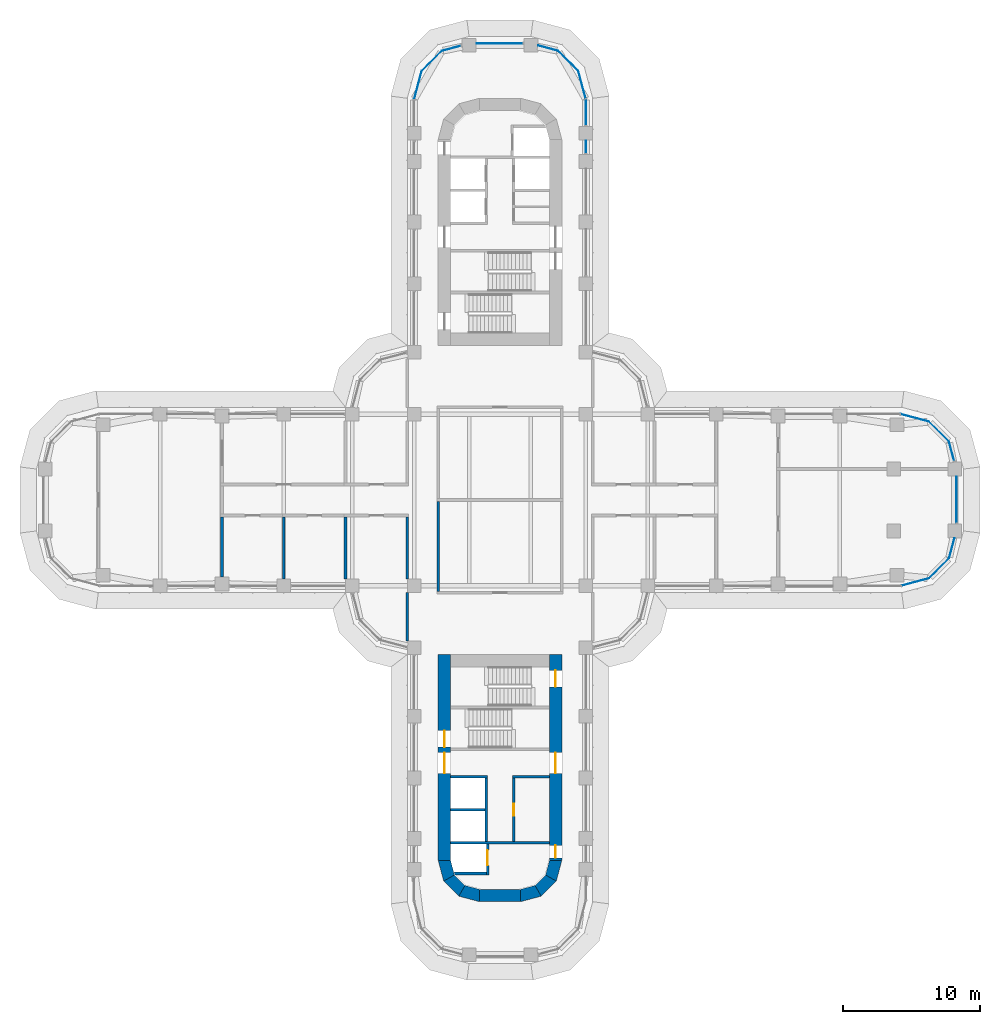
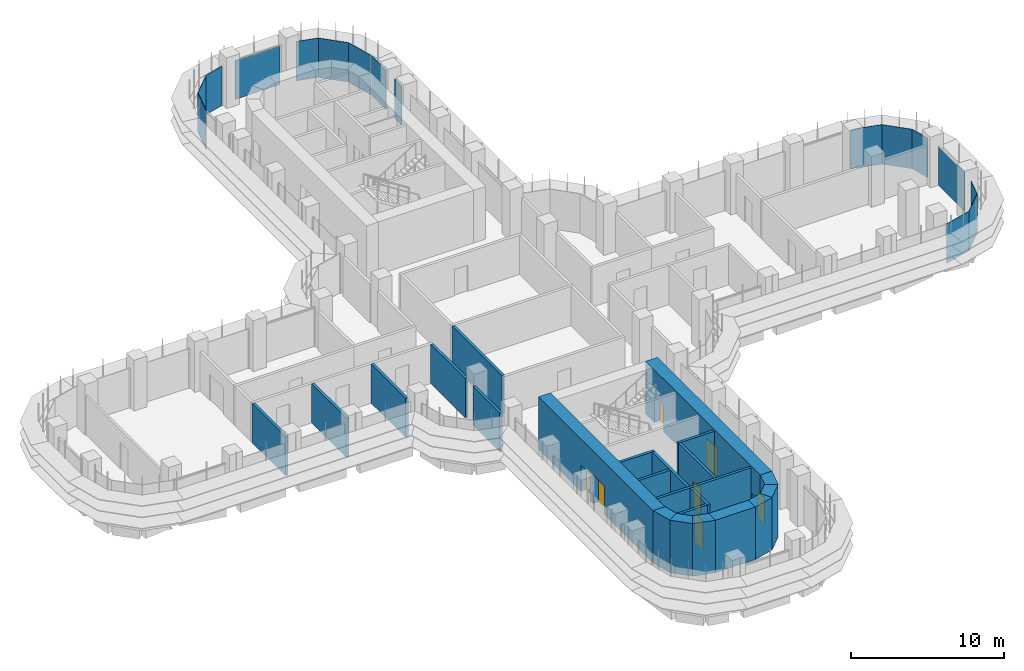
# One storey, part 16 of 23: 23 walls, 16 plates, 7 doors, 7 openings, 15 elements without a shape of their own.
"""IFC4 building model written with IfcOpenShell, lengths in metres."""

from ifc_helpers import new_model, si_unit, direction, frame, frame_2d, origin, place, context, subcontext, project, spatial, polyline, rectangle, outline, extrude, source, transform, mapped, material, layer, layer_set, type_object, element, fill, aggregate, save


model = new_model("IFC4")

# Units and contexts
model_context = context("Model", 3, precision=1e-05, world=origin(), true_north=direction((0.0, 1.0)))
body_context = subcontext(model_context, "Body", "Model", "MODEL_VIEW")
ifc_project = project(units=[si_unit("LENGTHUNIT", "METRE"), si_unit("AREAUNIT", "SQUARE_METRE"), si_unit("VOLUMEUNIT", "CUBIC_METRE"), si_unit("PLANEANGLEUNIT", "RADIAN"), si_unit("MASSUNIT", "GRAM", prefix="KILO")], contexts=[model_context])

# Site, building, storey
site_placement = place(None, origin())
site = spatial("IfcSite", under=ifc_project, at=site_placement, CompositionType="ELEMENT")
building_placement = place(site_placement, origin())
building = spatial("IfcBuilding", under=site, at=building_placement, Name="Zarbagh Exchange Tower", CompositionType="ELEMENT")
storey_placement = place(building_placement, frame((0.0, 0.0, 43.800048828125)))
storey = spatial("IfcBuildingStorey", under=building, at=storey_placement, Name="L09", CompositionType="ELEMENT", Elevation=43.800048828125)

# Curtain wall, plate
ifc_material_1 = material(Name="Anodised aluminium frame and glazing", Category="aluminium")
curtain_wall_type = type_object("IfcCurtainWallType", Name="CWA Ribbon glazing, lower zones", PredefinedType="NOTDEFINED", material=ifc_material_1)
curtain_wall_1_placement = place(storey_placement, origin())
curtain_wall_1 = element("IfcCurtainWall", 1, at=curtain_wall_1_placement, inside=storey, type_object=curtain_wall_type, Name="CWA13 curtain wall", PredefinedType="NOTDEFINED")
ifc_material_2 = material(Name="Low-e double glazed unit, 6+12+6 mm")
ifc_layer_1 = layer(ifc_material_2, 0.028076171875)
ifc_layer_set_1 = layer_set([ifc_layer_1], Name="PAA Glazing panel, Low-e double glazed unit, 6+12+6 mm")
plate_type = type_object("IfcPlateType", Name="PAA Glazing panel, Low-e double glazed unit, 6+12+6 mm", PredefinedType="CURTAIN_PANEL", material=ifc_layer_set_1)
shared_shape_1 = source(origin(), body_context, "Body", "SweptSolid", [
    extrude(outline(polyline([(0.0, -0.013916015625), (1.4423828125, -0.013916015625), (1.4423828125, 0.013916015625), (0.0, 0.013916015625), (0.0, -0.013916015625)])), origin(), (0.0, 0.0, 1.0), 3.14990234375),
])
placement = place(storey_placement, origin())
plate_1 = element("IfcPlate", 2, at=placement, type_object=plate_type, Name="CWA13 glazing panel 1.1", PredefinedType="CURTAIN_PANEL", context=body_context, shape_type="MappedRepresentation", body=[
    mapped(shared_shape_1, transform((33.072021484375, 2.847900390625, 0.0), x_axis=(-0.258824779902, 0.965924289636, 0.0), y_axis=(-0.965924289636, -0.258824779902, 0.0), z_axis=(0.0, 0.0, 1.0))),
])
aggregate(curtain_wall_1, [plate_1])

curtain_wall_2_placement = place(storey_placement, origin())
curtain_wall_2 = element("IfcCurtainWall", 3, at=curtain_wall_2_placement, inside=storey, type_object=curtain_wall_type, Name="CWA25 curtain wall", PredefinedType="NOTDEFINED")
plate_2 = element("IfcPlate", 4, at=placement, type_object=plate_type, Name="CWA25 glazing panel 1.1", PredefinedType="CURTAIN_PANEL", context=body_context, shape_type="MappedRepresentation", body=[
    mapped(shared_shape_1, transform((-2.847900390625, 33.072021484375, 0.0), x_axis=(-0.965924289636, -0.258824779902, 0.0), y_axis=(0.258824779902, -0.965924289636, 0.0), z_axis=(0.0, 0.0, 1.0))),
])
aggregate(curtain_wall_2, [plate_2])

curtain_wall_3_placement = place(storey_placement, origin())
curtain_wall_3 = element("IfcCurtainWall", 5, at=curtain_wall_3_placement, inside=storey, type_object=curtain_wall_type, Name="CWA10 curtain wall", PredefinedType="NOTDEFINED")
shared_shape_2 = source(origin(), body_context, "Body", "SweptSolid", [
    extrude(outline(polyline([(0.0, -0.013916015625), (2.061279296875, -0.013916015625), (2.061279296875, 0.013916015625), (0.0, 0.013916015625), (0.0, -0.013916015625)])), origin(), (0.0, 0.0, 1.0), 3.14990234375),
])
plate_3 = element("IfcPlate", 6, at=placement, type_object=plate_type, Name="CWA10 glazing panel 1.1", PredefinedType="CURTAIN_PANEL", context=body_context, shape_type="MappedRepresentation", body=[
    mapped(shared_shape_2, transform((31.2412109375, -5.69873046875, 0.0), x_axis=(0.707106781187, 0.707106781187, 0.0), y_axis=(-0.707106781187, 0.707106781187, 0.0), z_axis=(0.0, 0.0, 1.0))),
])
aggregate(curtain_wall_3, [plate_3])

curtain_wall_4_placement = place(storey_placement, origin())
curtain_wall_4 = element("IfcCurtainWall", 7, at=curtain_wall_4_placement, inside=storey, type_object=curtain_wall_type, Name="CWA14 curtain wall", PredefinedType="NOTDEFINED")
plate_4 = element("IfcPlate", 8, at=placement, type_object=plate_type, Name="CWA14 glazing panel 1.1", PredefinedType="CURTAIN_PANEL", context=body_context, shape_type="MappedRepresentation", body=[
    mapped(shared_shape_2, transform((32.69873046875, 4.2412109375, 0.0), x_axis=(-0.707106781187, 0.707106781187, 0.0), y_axis=(-0.707106781187, -0.707106781187, 0.0), z_axis=(0.0, 0.0, 1.0))),
])
aggregate(curtain_wall_4, [plate_4])

curtain_wall_5_placement = place(storey_placement, origin())
curtain_wall_5 = element("IfcCurtainWall", 9, at=curtain_wall_5_placement, inside=storey, type_object=curtain_wall_type, Name="CWA22 curtain wall", PredefinedType="NOTDEFINED")
plate_5 = element("IfcPlate", 10, at=placement, type_object=plate_type, Name="CWA22 glazing panel 1.1", PredefinedType="CURTAIN_PANEL", context=body_context, shape_type="MappedRepresentation", body=[
    mapped(shared_shape_2, transform((5.69873046875, 31.2412109375, 0.0), x_axis=(-0.707106781187, 0.707106781187, 0.0), y_axis=(-0.707106781187, -0.707106781187, 0.0), z_axis=(0.0, 0.0, 1.0))),
])
aggregate(curtain_wall_5, [plate_5])

curtain_wall_6_placement = place(storey_placement, origin())
curtain_wall_6 = element("IfcCurtainWall", 11, at=curtain_wall_6_placement, inside=storey, type_object=curtain_wall_type, Name="CWA26 curtain wall", PredefinedType="NOTDEFINED")
plate_6 = element("IfcPlate", 12, at=placement, type_object=plate_type, Name="CWA26 glazing panel 1.1", PredefinedType="CURTAIN_PANEL", context=body_context, shape_type="MappedRepresentation", body=[
    mapped(shared_shape_2, transform((-4.2412109375, 32.69873046875, 0.0), x_axis=(-0.707106781187, -0.707106781187, 0.0), y_axis=(0.707106781187, -0.707106781187, 0.0), z_axis=(0.0, 0.0, 1.0))),
])
aggregate(curtain_wall_6, [plate_6])

curtain_wall_7_placement = place(storey_placement, origin())
curtain_wall_7 = element("IfcCurtainWall", 13, at=curtain_wall_7_placement, inside=storey, type_object=curtain_wall_type, Name="CWA15 curtain wall", PredefinedType="NOTDEFINED")
shared_shape_3 = source(origin(), body_context, "Body", "SweptSolid", [
    extrude(outline(polyline([(0.0, -0.013916015625), (2.129638671875, -0.013916015625), (2.129638671875, 0.013916015625), (0.0, 0.013916015625), (0.0, -0.013916015625)])), origin(), (0.0, 0.0, 1.0), 3.14990234375),
])
plate_7 = element("IfcPlate", 14, at=placement, type_object=plate_type, Name="CWA15 glazing panel 1.1", PredefinedType="CURTAIN_PANEL", context=body_context, shape_type="MappedRepresentation", body=[
    mapped(shared_shape_3, transform((31.2412109375, 5.69873046875, 0.0), x_axis=(-0.965924289636, 0.258824779902, 0.0), y_axis=(-0.258824779902, -0.965924289636, 0.0), z_axis=(0.0, 0.0, 1.0))),
])
aggregate(curtain_wall_7, [plate_7])

curtain_wall_8_placement = place(storey_placement, origin())
curtain_wall_8 = element("IfcCurtainWall", 15, at=curtain_wall_8_placement, inside=storey, type_object=curtain_wall_type, Name="CWA27 curtain wall", PredefinedType="NOTDEFINED")
plate_8 = element("IfcPlate", 16, at=placement, type_object=plate_type, Name="CWA27 glazing panel 1.1", PredefinedType="CURTAIN_PANEL", context=body_context, shape_type="MappedRepresentation", body=[
    mapped(shared_shape_3, transform((-5.69873046875, 31.2412109375, 0.0), x_axis=(-0.258824779902, -0.965924289636, 0.0), y_axis=(0.965924289636, -0.258824779902, 0.0), z_axis=(0.0, 0.0, 1.0))),
])
aggregate(curtain_wall_8, [plate_8])

curtain_wall_9_placement = place(storey_placement, origin())
curtain_wall_9 = element("IfcCurtainWall", 17, at=curtain_wall_9_placement, inside=storey, type_object=curtain_wall_type, Name="CWA09 curtain wall", PredefinedType="NOTDEFINED")
shared_shape_4 = source(origin(), body_context, "Body", "SweptSolid", [
    extrude(outline(polyline([(0.0, -0.013916015625), (2.069580078125, -0.013916015625), (2.069580078125, 0.013916015625), (0.0, 0.013916015625), (0.0, -0.013916015625)])), origin(), (0.0, 0.0, 1.0), 3.14990234375),
])
plate_9 = element("IfcPlate", 18, at=placement, type_object=plate_type, Name="CWA09 glazing panel 1.1", PredefinedType="CURTAIN_PANEL", context=body_context, shape_type="MappedRepresentation", body=[
    mapped(shared_shape_4, transform((29.2421875, -6.234375, 0.0), x_axis=(0.965924289636, 0.258824779902, 0.0), y_axis=(-0.258824779902, 0.965924289636, 0.0), z_axis=(0.0, 0.0, 1.0))),
])
aggregate(curtain_wall_9, [plate_9])

curtain_wall_10_placement = place(storey_placement, origin())
curtain_wall_10 = element("IfcCurtainWall", 19, at=curtain_wall_10_placement, inside=storey, type_object=curtain_wall_type, Name="CWA21 curtain wall", PredefinedType="NOTDEFINED")
plate_10 = element("IfcPlate", 20, at=placement, type_object=plate_type, Name="CWA21 glazing panel 1.1", PredefinedType="CURTAIN_PANEL", context=body_context, shape_type="MappedRepresentation", body=[
    mapped(shared_shape_4, transform((6.234375, 29.2421875, 0.0), x_axis=(-0.258824779902, 0.965924289636, 0.0), y_axis=(-0.965924289636, -0.258824779902, 0.0), z_axis=(0.0, 0.0, 1.0))),
])
aggregate(curtain_wall_10, [plate_10])

curtain_wall_11_placement = place(storey_placement, origin())
curtain_wall_11 = element("IfcCurtainWall", 21, at=curtain_wall_11_placement, inside=storey, type_object=curtain_wall_type, Name="CWA11 curtain wall", PredefinedType="NOTDEFINED")
shared_shape_5 = source(origin(), body_context, "Body", "SweptSolid", [
    extrude(outline(polyline([(0.0, -0.013916015625), (1.50244140625, -0.013916015625), (1.50244140625, 0.013916015625), (0.0, 0.013916015625), (0.0, -0.013916015625)])), origin(), (0.0, 0.0, 1.0), 3.14990234375),
])
plate_11 = element("IfcPlate", 22, at=placement, type_object=plate_type, Name="CWA11 glazing panel 1.1", PredefinedType="CURTAIN_PANEL", context=body_context, shape_type="MappedRepresentation", body=[
    mapped(shared_shape_5, transform((32.69873046875, -4.2412109375, 0.0), x_axis=(0.258824779902, 0.965924289636, 0.0), y_axis=(-0.965924289636, 0.258824779902, 0.0), z_axis=(0.0, 0.0, 1.0))),
])
aggregate(curtain_wall_11, [plate_11])

curtain_wall_12_placement = place(storey_placement, origin())
curtain_wall_12 = element("IfcCurtainWall", 23, at=curtain_wall_12_placement, inside=storey, type_object=curtain_wall_type, Name="CWA23 curtain wall", PredefinedType="NOTDEFINED")
plate_12 = element("IfcPlate", 24, at=placement, type_object=plate_type, Name="CWA23 glazing panel 1.1", PredefinedType="CURTAIN_PANEL", context=body_context, shape_type="MappedRepresentation", body=[
    mapped(shared_shape_5, transform((4.2412109375, 32.69873046875, 0.0), x_axis=(-0.965924289636, 0.258824779902, 0.0), y_axis=(-0.258824779902, -0.965924289636, 0.0), z_axis=(0.0, 0.0, 1.0))),
])
aggregate(curtain_wall_12, [plate_12])

curtain_wall_13_placement = place(storey_placement, origin())
curtain_wall_13 = element("IfcCurtainWall", 25, at=curtain_wall_13_placement, inside=storey, type_object=curtain_wall_type, Name="CWA12 curtain wall", PredefinedType="NOTDEFINED")
shared_shape_6 = source(origin(), body_context, "Body", "SweptSolid", [
    extrude(outline(polyline([(0.0, -0.013916015625), (3.360107421875, -0.013916015625), (3.360107421875, 0.013916015625), (0.0, 0.013916015625), (0.0, -0.013916015625)])), origin(), (0.0, 0.0, 1.0), 3.090087890625),
])
plate_13 = element("IfcPlate", 26, at=placement, type_object=plate_type, Name="CWA12 glazing panel 1.1", PredefinedType="CURTAIN_PANEL", context=body_context, shape_type="MappedRepresentation", body=[
    mapped(shared_shape_6, transform((33.25, -1.64990234375, 0.0), x_axis=(0.0, 1.0, 0.0), y_axis=(-1.0, 0.0, 0.0), z_axis=(0.0, 0.0, 1.0))),
])
aggregate(curtain_wall_13, [plate_13])

curtain_wall_14_placement = place(storey_placement, origin())
curtain_wall_14 = element("IfcCurtainWall", 27, at=curtain_wall_14_placement, inside=storey, type_object=curtain_wall_type, Name="CWA24 curtain wall", PredefinedType="NOTDEFINED")
plate_14 = element("IfcPlate", 28, at=placement, type_object=plate_type, Name="CWA24 glazing panel 1.1", PredefinedType="CURTAIN_PANEL", context=body_context, shape_type="MappedRepresentation", body=[
    mapped(shared_shape_6, transform((1.64990234375, 33.25, 0.0), x_axis=(-1.0, 0.0, 0.0), y_axis=(0.0, -1.0, 0.0), z_axis=(0.0, 0.0, 1.0))),
])
aggregate(curtain_wall_14, [plate_14])

# Curtain wall, plates
curtain_wall_15_placement = place(storey_placement, origin())
curtain_wall_15 = element("IfcCurtainWall", 29, at=curtain_wall_15_placement, inside=storey, type_object=curtain_wall_type, Name="CWA20 curtain wall", PredefinedType="NOTDEFINED")
shared_shape_7 = source(origin(), body_context, "Body", "SweptSolid", [
    extrude(outline(polyline([(0.0, -0.013916015625), (0.909912109375, -0.013916015625), (0.909912109375, 0.013916015625), (0.0, 0.013916015625), (0.0, -0.013916015625)])), origin(), (0.0, 0.0, 1.0), 3.14990234375),
])
plate_15 = element("IfcPlate", 30, at=placement, type_object=plate_type, Name="CWA20 glazing panel 4.1", PredefinedType="CURTAIN_PANEL", context=body_context, shape_type="MappedRepresentation", body=[
    mapped(shared_shape_7, transform((6.25, 25.25, 0.0), x_axis=(0.0, 1.0, 0.0), y_axis=(-1.0, 0.0, 0.0), z_axis=(0.0, 0.0, 1.0))),
])
shared_shape_8 = source(origin(), body_context, "Body", "SweptSolid", [
    extrude(outline(polyline([(0.0, -0.013916015625), (1.884033203125, -0.013916015625), (1.884033203125, 0.013916015625), (0.0, 0.013916015625), (0.0, -0.013916015625)])), origin(), (0.0, 0.0, 1.0), 3.14990234375),
])
plate_16 = element("IfcPlate", 31, at=placement, type_object=plate_type, Name="CWA20 glazing panel 5.1", PredefinedType="CURTAIN_PANEL", context=body_context, shape_type="MappedRepresentation", body=[
    mapped(shared_shape_8, transform((6.25, 27.300048828125, 0.0), x_axis=(0.0, 1.0, 0.0), y_axis=(-1.0, 0.0, 0.0), z_axis=(0.0, 0.0, 1.0))),
])
aggregate(curtain_wall_15, [plate_15, plate_16])

# Walls
ifc_material_3 = material(Name="Fire-rated plasterboard partition")
ifc_layer_2 = layer(ifc_material_3, 0.199951171875)
ifc_layer_set_2 = layer_set([ifc_layer_2], Name="RATED PARTITION 200")
wall_type_1 = type_object("IfcWallType", Name="RATED PARTITION 200", PredefinedType="PARTITIONING", material=ifc_layer_set_2)
wall_1_placement = place(storey_placement, frame((-4.5, -6.64990234375, 0.0), z_axis=(0.0, 0.0, 1.0), x_axis=(0.0, 1.0, 0.0)))
element("IfcWall", 32, at=wall_1_placement, inside=storey, type_object=wall_type_1, Name="Partition W-302", PredefinedType="PARTITIONING", context=body_context, shape_type="SweptSolid", body=[
    extrude(rectangle(XDim=6.5498046875, YDim=0.199951171875, at=frame_2d((3.27490234375, 0.0))), origin(), (0.0, 0.0, 1.0), 3.13037109375),
])
wall_2_placement = place(storey_placement, frame((-6.75, -10.25, 0.0), z_axis=(0.0, 0.0, 1.0), x_axis=(0.0, 1.0, 0.0)))
element("IfcWall", 33, at=wall_2_placement, inside=storey, type_object=wall_type_1, Name="Partition W-305", PredefinedType="PARTITIONING", context=body_context, shape_type="SweptSolid", body=[
    extrude(rectangle(XDim=3.5, YDim=0.199951171875, at=frame_2d((1.75, 0.0))), origin(), (0.0, 0.0, 1.0), 3.13037109375),
])
for number, where, z_axis, x_axis, name in (
    (34, (-6.75, -5.75, 0.0), (0.0, 0.0, 1.0), (0.0, 1.0, 0.0), "Partition W-306"),
    (35, (-11.25, -5.75, 0.0), (0.0, 0.0, 1.0), (0.0, 1.0, 0.0), "Partition W-335"),
    (36, (-15.75, -5.75, 0.0), (0.0, 0.0, 1.0), (0.0, 1.0, 0.0), "Partition W-337"),
):
    element("IfcWall", number, at=place(storey_placement, frame(where, z_axis=z_axis, x_axis=x_axis)), inside=storey, type_object=wall_type_1, Name=name, PredefinedType="PARTITIONING", context=body_context, shape_type="SweptSolid", body=[
        extrude(rectangle(XDim=4.52490234375, YDim=0.199951171875, at=frame_2d((2.262451171875, 0.0))), origin(), (0.0, 0.0, 1.0), 3.13037109375),
    ])
wall_3_placement = place(storey_placement, frame((-20.25, -5.610107421875, 0.0), z_axis=(0.0, 0.0, 1.0), x_axis=(0.0, 1.0, 0.0)))
element("IfcWall", 37, at=wall_3_placement, inside=storey, type_object=wall_type_1, Name="Partition W-338", PredefinedType="PARTITIONING", context=body_context, shape_type="SweptSolid", body=[
    extrude(rectangle(XDim=4.385009765625, YDim=0.199951171875, at=frame_2d((2.1923828125, 0.0))), origin(), (0.0, 0.0, 1.0), 3.13037109375),
])
ifc_material_4 = material(Name="Concrete C60/75", Category="concrete")
ifc_layer_3 = layer(ifc_material_4, 0.89990234375)
ifc_layer_set_3 = layer_set([ifc_layer_3], Name="RC core corner wall 900 C60/75")
wall_type_2 = type_object("IfcWallType", Name="RC core corner wall 900 C60/75", PredefinedType="SHEAR", material=ifc_layer_set_3)
wall_4_placement = place(storey_placement, origin())
element("IfcWall", 38, at=wall_4_placement, inside=storey, type_object=wall_type_2, Name="CW2 core S corner W", PredefinedType="SHEAR", context=body_context, shape_type="SweptSolid", body=[
    extrude(outline(polyline([(-4.5, -26.25), (-4.09814453125, -27.75), (-3.318603515625, -27.300048828125), (-3.60009765625, -26.25), (-4.5, -26.25)])), origin(), (0.0, 0.0, 1.0), 4.199951171875),
])
wall_5_placement = place(storey_placement, origin())
element("IfcWall", 39, at=wall_5_placement, inside=storey, type_object=wall_type_2, Name="CW2 core S corner W", PredefinedType="SHEAR", context=body_context, shape_type="SweptSolid", body=[
    extrude(outline(polyline([(-4.09814453125, -27.75), (-3.0, -28.84814453125), (-2.550048828125, -28.068603515625), (-3.318603515625, -27.300048828125), (-4.09814453125, -27.75)])), origin(), (0.0, 0.0, 1.0), 4.199951171875),
])
wall_6_placement = place(storey_placement, origin())
element("IfcWall", 40, at=wall_6_placement, inside=storey, type_object=wall_type_2, Name="CW2 core S corner W", PredefinedType="SHEAR", context=body_context, shape_type="SweptSolid", body=[
    extrude(outline(polyline([(-3.0, -28.84814453125), (-1.5, -29.25), (-1.5, -28.35009765625), (-2.550048828125, -28.068603515625), (-3.0, -28.84814453125)])), origin(), (0.0, 0.0, 1.0), 4.199951171875),
])
wall_7_placement = place(storey_placement, origin())
element("IfcWall", 41, at=wall_7_placement, inside=storey, type_object=wall_type_2, Name="CW2 core S corner E", PredefinedType="SHEAR", context=body_context, shape_type="SweptSolid", body=[
    extrude(outline(polyline([(4.5, -26.25), (4.09814453125, -27.75), (3.318603515625, -27.300048828125), (3.60009765625, -26.25), (4.5, -26.25)])), origin(), (0.0, 0.0, 1.0), 4.199951171875),
])
wall_8_placement = place(storey_placement, origin())
element("IfcWall", 42, at=wall_8_placement, inside=storey, type_object=wall_type_2, Name="CW2 core S corner E", PredefinedType="SHEAR", context=body_context, shape_type="SweptSolid", body=[
    extrude(outline(polyline([(4.09814453125, -27.75), (3.0, -28.84814453125), (2.550048828125, -28.068603515625), (3.318603515625, -27.300048828125), (4.09814453125, -27.75)])), origin(), (0.0, 0.0, 1.0), 4.199951171875),
])
wall_9_placement = place(storey_placement, origin())
element("IfcWall", 43, at=wall_9_placement, inside=storey, type_object=wall_type_2, Name="CW2 core S corner E", PredefinedType="SHEAR", context=body_context, shape_type="SweptSolid", body=[
    extrude(outline(polyline([(3.0, -28.84814453125), (1.5, -29.25), (1.5, -28.35009765625), (2.550048828125, -28.068603515625), (3.0, -28.84814453125)])), origin(), (0.0, 0.0, 1.0), 4.199951171875),
])

# Wall, openings, doors
ifc_layer_4 = layer(ifc_material_4, 0.89990234375)
ifc_layer_set_4 = layer_set([ifc_layer_4], Name="RC core wall 900 C60/75")
wall_type_3 = type_object("IfcWallType", Name="RC core wall 900 C60/75", PredefinedType="SHEAR", material=ifc_layer_set_4)
wall_10_placement = place(storey_placement, frame((-4.050048828125, -11.25, 0.0), z_axis=(0.0, 0.0, 1.0), x_axis=(0.0, -1.0, 0.0)))
wall_10 = element("IfcWall", 44, at=wall_10_placement, inside=storey, type_object=wall_type_3, Name="CW1 core S W", PredefinedType="SHEAR", context=body_context, shape_type="SweptSolid", body=[
    extrude(rectangle(XDim=15.0, YDim=0.89990234375, at=frame_2d((7.5, 0.0))), origin(), (0.0, 0.0, 1.0), 4.199951171875),
])
opening_1_placement = place(wall_10_placement, frame((7.14990234375, 0.0, 0.0)))
opening_1 = element("IfcOpeningElement", 45, at=opening_1_placement, cuts=wall_10, Name="Opening CD1-1500", PredefinedType="OPENING", context=body_context, shape_type="SweptSolid", body=[
    extrude(rectangle(XDim=1.5, YDim=2.300048828125, at=frame_2d((0.75, 1.14990234375))), frame((0.0, 0.4599609375, 0.0), z_axis=(0.0, -1.0, 0.0), x_axis=(1.0, 0.0, 0.0)), (0.0, 0.0, 1.0), 0.919921875),
])
opening_2_placement = place(wall_10_placement, frame((5.550048828125, 0.0, 0.0)))
opening_2 = element("IfcOpeningElement", 46, at=opening_2_placement, cuts=wall_10, Name="Opening SD1-1200", PredefinedType="OPENING", context=body_context, shape_type="SweptSolid", body=[
    extrude(rectangle(XDim=1.199951171875, YDim=2.10009765625, at=frame_2d((0.60009765625, 1.050048828125))), frame((0.0, 0.4599609375, 0.0), z_axis=(0.0, -1.0, 0.0), x_axis=(1.0, 0.0, 0.0)), (0.0, 0.0, 1.0), 0.919921875),
])
ifc_material_5 = material(Name="Steel", Category="steel")
door_type_1 = type_object("IfcDoorType", Name="Exit stair door 1200 x 2100", OperationType="NOTDEFINED", PredefinedType="DOOR", material=ifc_material_5)
door_1_placement = place(opening_2_placement, origin())
door_1 = element("IfcDoor", 47, at=door_1_placement, inside=storey, type_object=door_type_1, Name="South core stair door ST1", OperationType="SINGLE_SWING_RIGHT", OverallHeight=2.10009765625, OverallWidth=1.199951171875, PredefinedType="DOOR", context=body_context, shape_type="SweptSolid", body=[
    extrude(rectangle(XDim=1.199951171875, YDim=2.10009765625, at=frame_2d((0.60009765625, 1.050048828125))), frame((0.0, 0.02490234375, 0.0), z_axis=(0.0, -1.0, 0.0), x_axis=(1.0, 0.0, 0.0)), (0.0, 0.0, 1.0), 0.050048828125),
])
fill(opening_2, door_1)
door_type_2 = type_object("IfcDoorType", Name="Lift lobby double door 1500 x 2300", OperationType="NOTDEFINED", PredefinedType="DOOR", material=ifc_material_5)
door_2_placement = place(opening_1_placement, origin())
door_2 = element("IfcDoor", 48, at=door_2_placement, inside=storey, type_object=door_type_2, Name="South core lift lobby door LOBBY-E", OperationType="DOUBLE_DOOR_SINGLE_SWING", OverallHeight=2.300048828125, OverallWidth=1.5, PredefinedType="DOOR", context=body_context, shape_type="SweptSolid", body=[
    extrude(rectangle(XDim=1.5, YDim=2.300048828125, at=frame_2d((0.75, 1.14990234375))), frame((0.0, 0.02490234375, 0.0), z_axis=(0.0, -1.0, 0.0), x_axis=(1.0, 0.0, 0.0)), (0.0, 0.0, 1.0), 0.050048828125),
])
fill(opening_1, door_2)

wall_11_placement = place(storey_placement, frame((4.050048828125, -11.25, 0.0), z_axis=(0.0, 0.0, 1.0), x_axis=(0.0, -1.0, 0.0)))
wall_11 = element("IfcWall", 49, at=wall_11_placement, inside=storey, type_object=wall_type_3, Name="CW1 core S E", PredefinedType="SHEAR", context=body_context, shape_type="SweptSolid", body=[
    extrude(rectangle(XDim=15.0, YDim=0.89990234375, at=frame_2d((7.5, 0.0))), origin(), (0.0, 0.0, 1.0), 4.199951171875),
])
opening_3_placement = place(wall_11_placement, frame((7.14990234375, 0.0, 0.0)))
opening_3 = element("IfcOpeningElement", 50, at=opening_3_placement, cuts=wall_11, Name="Opening CD1-1500", PredefinedType="OPENING", context=body_context, shape_type="SweptSolid", body=[
    extrude(rectangle(XDim=1.5, YDim=2.300048828125, at=frame_2d((0.75, 1.14990234375))), frame((0.0, 0.4599609375, 0.0), z_axis=(0.0, -1.0, 0.0), x_axis=(1.0, 0.0, 0.0)), (0.0, 0.0, 1.0), 0.919921875),
])
opening_4_placement = place(wall_11_placement, frame((13.89990234375, 0.0, 0.0)))
opening_4 = element("IfcOpeningElement", 51, at=opening_4_placement, cuts=wall_11, Name="Opening CD2-900", PredefinedType="OPENING", context=body_context, shape_type="SweptSolid", body=[
    extrude(rectangle(XDim=0.89990234375, YDim=2.10009765625, at=frame_2d((0.449951171875, 1.050048828125))), frame((0.0, 0.4599609375, 0.0), z_axis=(0.0, -1.0, 0.0), x_axis=(1.0, 0.0, 0.0)), (0.0, 0.0, 1.0), 0.919921875),
])
opening_5_placement = place(wall_11_placement, frame((1.14990234375, 0.0, 0.0)))
opening_5 = element("IfcOpeningElement", 52, at=opening_5_placement, cuts=wall_11, Name="Opening SD1-1200", PredefinedType="OPENING", context=body_context, shape_type="SweptSolid", body=[
    extrude(rectangle(XDim=1.199951171875, YDim=2.10009765625, at=frame_2d((0.60009765625, 1.050048828125))), frame((0.0, 0.4599609375, 0.0), z_axis=(0.0, -1.0, 0.0), x_axis=(1.0, 0.0, 0.0)), (0.0, 0.0, 1.0), 0.919921875),
])
door_3_placement = place(opening_5_placement, origin())
door_3 = element("IfcDoor", 53, at=door_3_placement, inside=storey, type_object=door_type_1, Name="South core stair door ST2", OperationType="SINGLE_SWING_LEFT", OverallHeight=2.10009765625, OverallWidth=1.199951171875, PredefinedType="DOOR", context=body_context, shape_type="SweptSolid", body=[
    extrude(rectangle(XDim=1.199951171875, YDim=2.10009765625, at=frame_2d((0.60009765625, 1.050048828125))), frame((0.0, 0.02490234375, 0.0), z_axis=(0.0, -1.0, 0.0), x_axis=(1.0, 0.0, 0.0)), (0.0, 0.0, 1.0), 0.050048828125),
])
fill(opening_5, door_3)
door_type_3 = type_object("IfcDoorType", Name="Firefighting lobby door 900 x 2100", OperationType="NOTDEFINED", PredefinedType="DOOR", material=ifc_material_5)
door_4_placement = place(opening_4_placement, origin())
door_4 = element("IfcDoor", 54, at=door_4_placement, inside=storey, type_object=door_type_3, Name="South core firefighting lobby door FF-W", OperationType="SINGLE_SWING_RIGHT", OverallHeight=2.10009765625, OverallWidth=0.89990234375, PredefinedType="DOOR", context=body_context, shape_type="SweptSolid", body=[
    extrude(rectangle(XDim=0.89990234375, YDim=2.10009765625, at=frame_2d((0.449951171875, 1.050048828125))), frame((0.0, 0.02490234375, 0.0), z_axis=(0.0, -1.0, 0.0), x_axis=(1.0, 0.0, 0.0)), (0.0, 0.0, 1.0), 0.050048828125),
])
fill(opening_4, door_4)
door_5_placement = place(opening_3_placement, origin())
door_5 = element("IfcDoor", 55, at=door_5_placement, inside=storey, type_object=door_type_2, Name="South core lift lobby door LOBBY-W", OperationType="DOUBLE_DOOR_SINGLE_SWING", OverallHeight=2.300048828125, OverallWidth=1.5, PredefinedType="DOOR", context=body_context, shape_type="SweptSolid", body=[
    extrude(rectangle(XDim=1.5, YDim=2.300048828125, at=frame_2d((0.75, 1.14990234375))), frame((0.0, 0.02490234375, 0.0), z_axis=(0.0, -1.0, 0.0), x_axis=(1.0, 0.0, 0.0)), (0.0, 0.0, 1.0), 0.050048828125),
])
fill(opening_3, door_5)

# Walls
wall_12_placement = place(storey_placement, frame((-1.5, -28.800048828125, 0.0), z_axis=(0.0, 0.0, 1.0), x_axis=(1.0, 0.0, 0.0)))
element("IfcWall", 56, at=wall_12_placement, inside=storey, type_object=wall_type_3, Name="CW1 core S outer end", PredefinedType="SHEAR", context=body_context, shape_type="SweptSolid", body=[
    extrude(rectangle(XDim=3.0, YDim=0.89990234375, at=frame_2d((1.5, 0.0))), origin(), (0.0, 0.0, 1.0), 4.199951171875),
])
ifc_material_6 = material(Name="Dense blockwork", Category="masonry")
ifc_layer_5 = layer(ifc_material_6, 0.199951171875)
ifc_layer_set_5 = layer_set([ifc_layer_5], Name="Shaft wall 200 mm blockwork")
wall_type_4 = type_object("IfcWallType", Name="Shaft wall 200 mm blockwork", PredefinedType="PARTITIONING", material=ifc_layer_set_5)
wall_13_placement = place(storey_placement, frame((3.60009765625, -20.14990234375, 0.0), z_axis=(0.0, 0.0, 1.0), x_axis=(-1.0, 0.0, 0.0)))
element("IfcWall", 57, at=wall_13_placement, inside=storey, type_object=wall_type_4, Name="South core shaft wall AB-W", PredefinedType="PARTITIONING", context=body_context, shape_type="SweptSolid", body=[
    extrude(rectangle(XDim=2.7001953125, YDim=0.199951171875, at=frame_2d((1.35009765625, 0.0))), origin(), (0.0, 0.0, 1.0), 4.050048828125),
])

# Wall, opening, door
wall_14_placement = place(storey_placement, frame((1.0, -24.85009765625, 0.0), z_axis=(0.0, 0.0, 1.0), x_axis=(0.0, 1.0, 0.0)))
wall_14 = element("IfcWall", 58, at=wall_14_placement, inside=storey, type_object=wall_type_4, Name="South core shaft wall LW-W", PredefinedType="PARTITIONING", context=body_context, shape_type="SweptSolid", body=[
    extrude(rectangle(XDim=4.60009765625, YDim=0.199951171875, at=frame_2d((2.300048828125, 0.0))), origin(), (0.0, 0.0, 1.0), 4.050048828125),
])
opening_6_placement = place(wall_14_placement, frame((1.85009765625, 0.0, 0.0)))
opening_6 = element("IfcOpeningElement", 59, at=opening_6_placement, cuts=wall_14, Name="Opening CD3-900", PredefinedType="OPENING", context=body_context, shape_type="SweptSolid", body=[
    extrude(rectangle(XDim=0.89990234375, YDim=2.10009765625, at=frame_2d((0.449951171875, 1.050048828125))), frame((0.0, 0.10986328125, 0.0), z_axis=(0.0, -1.0, 0.0), x_axis=(1.0, 0.0, 0.0)), (0.0, 0.0, 1.0), 0.219970703125),
])
door_type_4 = type_object("IfcDoorType", Name="Core room door 900 x 2100", OperationType="NOTDEFINED", PredefinedType="DOOR", material=ifc_material_5)
door_6_placement = place(opening_6_placement, origin())
door_6 = element("IfcDoor", 60, at=door_6_placement, inside=storey, type_object=door_type_4, Name="South core Accessible WC door RD-W-0", OperationType="SINGLE_SWING_RIGHT", OverallHeight=2.10009765625, OverallWidth=0.89990234375, PredefinedType="DOOR", context=body_context, shape_type="SweptSolid", body=[
    extrude(rectangle(XDim=0.89990234375, YDim=2.10009765625, at=frame_2d((0.449951171875, 1.050048828125))), frame((0.0, 0.02490234375, 0.0), z_axis=(0.0, -1.0, 0.0), x_axis=(1.0, 0.0, 0.0)), (0.0, 0.0, 1.0), 0.050048828125),
])
fill(opening_6, door_6)

# Walls
wall_15_placement = place(storey_placement, frame((-0.89990234375, -20.14990234375, 0.0), z_axis=(0.0, 0.0, 1.0), x_axis=(-1.0, 0.0, 0.0)))
element("IfcWall", 61, at=wall_15_placement, inside=storey, type_object=wall_type_4, Name="South core shaft wall AB-E", PredefinedType="PARTITIONING", context=body_context, shape_type="SweptSolid", body=[
    extrude(rectangle(XDim=2.7001953125, YDim=0.199951171875, at=frame_2d((1.35009765625, 0.0))), origin(), (0.0, 0.0, 1.0), 4.050048828125),
])
wall_16_placement = place(storey_placement, frame((-1.0, -24.85009765625, 0.0), z_axis=(0.0, 0.0, 1.0), x_axis=(0.0, 1.0, 0.0)))
element("IfcWall", 62, at=wall_16_placement, inside=storey, type_object=wall_type_4, Name="South core shaft wall LW-E", PredefinedType="PARTITIONING", context=body_context, shape_type="SweptSolid", body=[
    extrude(rectangle(XDim=4.60009765625, YDim=0.199951171875, at=frame_2d((2.300048828125, 0.0))), origin(), (0.0, 0.0, 1.0), 4.050048828125),
])
wall_17_placement = place(storey_placement, frame((-1.10009765625, -22.550048828125, 0.0), z_axis=(0.0, 0.0, 1.0), x_axis=(-1.0, 0.0, 0.0)))
element("IfcWall", 63, at=wall_17_placement, inside=storey, type_object=wall_type_4, Name="South core shaft wall TR-E", PredefinedType="PARTITIONING", context=body_context, shape_type="SweptSolid", body=[
    extrude(rectangle(XDim=2.5, YDim=0.199951171875, at=frame_2d((1.25, 0.0))), origin(), (0.0, 0.0, 1.0), 4.050048828125),
])
ifc_material_7 = material(Name="Concrete C40/50", Category="concrete")
ifc_layer_6 = layer(ifc_material_7, 0.199951171875)
ifc_layer_set_6 = layer_set([ifc_layer_6], Name="Stair enclosure wall 200 mm RC C40/50")
wall_type_5 = type_object("IfcWallType", Name="Stair enclosure wall 200 mm RC C40/50", PredefinedType="SHEAR", material=ifc_layer_set_6)
wall_18_placement = place(storey_placement, frame((3.60009765625, -24.949951171875, 0.0), z_axis=(0.0, 0.0, 1.0), x_axis=(-1.0, 0.0, 0.0)))
element("IfcWall", 64, at=wall_18_placement, inside=storey, type_object=wall_type_5, Name="South core lift shaft wall FFA", PredefinedType="SHEAR", context=body_context, shape_type="SweptSolid", body=[
    extrude(rectangle(XDim=7.2001953125, YDim=0.199951171875, at=frame_2d((3.60009765625, 0.0))), origin(), (0.0, 0.0, 1.0), 4.050048828125),
])

# Wall, opening, door
wall_19_placement = place(storey_placement, frame((-0.89990234375, -27.300048828125, 0.0), z_axis=(0.0, 0.0, 1.0), x_axis=(0.0, 1.0, 0.0)))
wall_19 = element("IfcWall", 65, at=wall_19_placement, inside=storey, type_object=wall_type_5, Name="South core lift shaft wall FFL", PredefinedType="SHEAR", context=body_context, shape_type="SweptSolid", body=[
    extrude(rectangle(XDim=2.25, YDim=0.199951171875, at=frame_2d((1.125, 0.0))), origin(), (0.0, 0.0, 1.0), 4.050048828125),
])
opening_7_placement = place(wall_19_placement, frame((0.699951171875, 0.0, 0.0)))
opening_7 = element("IfcOpeningElement", 66, at=opening_7_placement, cuts=wall_19, Name="Opening LD-1100", PredefinedType="OPENING", context=body_context, shape_type="SweptSolid", body=[
    extrude(rectangle(XDim=1.10009765625, YDim=2.300048828125, at=frame_2d((0.550048828125, 1.14990234375))), frame((0.0, 0.10986328125, 0.0), z_axis=(0.0, -1.0, 0.0), x_axis=(1.0, 0.0, 0.0)), (0.0, 0.0, 1.0), 0.219970703125),
])
ifc_material_8 = material(Name="Stainless steel", Category="steel")
door_type_5 = type_object("IfcDoorType", Name="Lift landing door 1100 x 2300", OperationType="NOTDEFINED", PredefinedType="DOOR", material=ifc_material_8)
door_7_placement = place(opening_7_placement, origin())
door_7 = element("IfcDoor", 67, at=door_7_placement, inside=storey, type_object=door_type_5, Name="South core lift landing door LD-F", OperationType="DOUBLE_DOOR_SLIDING", OverallHeight=2.300048828125, OverallWidth=1.10009765625, PredefinedType="DOOR", context=body_context, shape_type="SweptSolid", body=[
    extrude(rectangle(XDim=1.10009765625, YDim=2.300048828125, at=frame_2d((0.550048828125, 1.14990234375))), frame((0.0, 0.02490234375, 0.0), z_axis=(0.0, -1.0, 0.0), x_axis=(1.0, 0.0, 0.0)), (0.0, 0.0, 1.0), 0.050048828125),
])
fill(opening_7, door_7)

# Wall
wall_20_placement = place(storey_placement, origin())
element("IfcWall", 68, at=wall_20_placement, inside=storey, type_object=wall_type_5, Name="South core lift shaft wall FFX", PredefinedType="SHEAR", context=body_context, shape_type="SweptSolid", body=[
    extrude(outline(polyline([(-1.0, -27.10009765625), (-3.340576171875, -27.10009765625), (-3.291259765625, -27.2841796875), (-3.275390625, -27.300048828125), (-1.0, -27.300048828125), (-1.0, -27.10009765625)])), origin(), (0.0, 0.0, 1.0), 4.050048828125),
])

save(model, "model.ifc")
